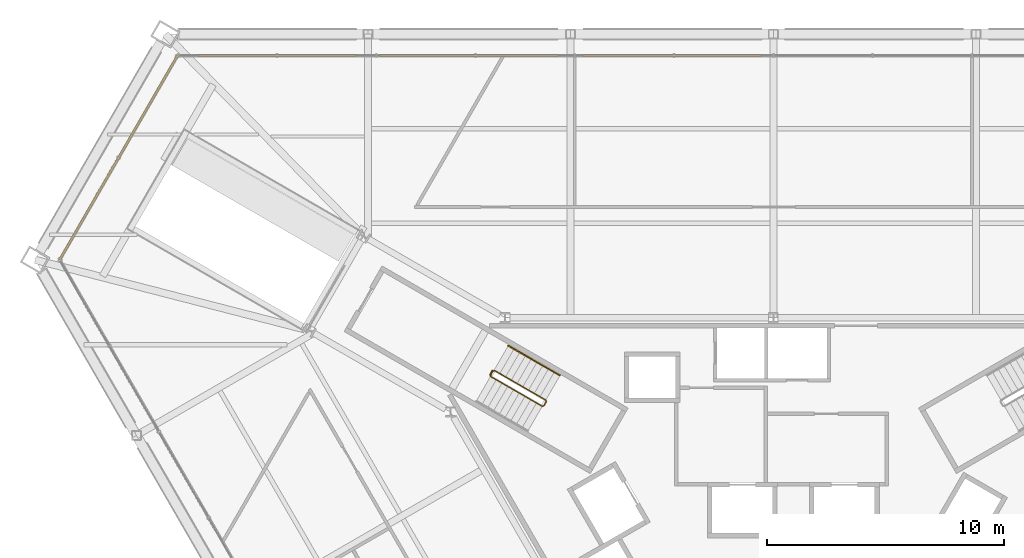
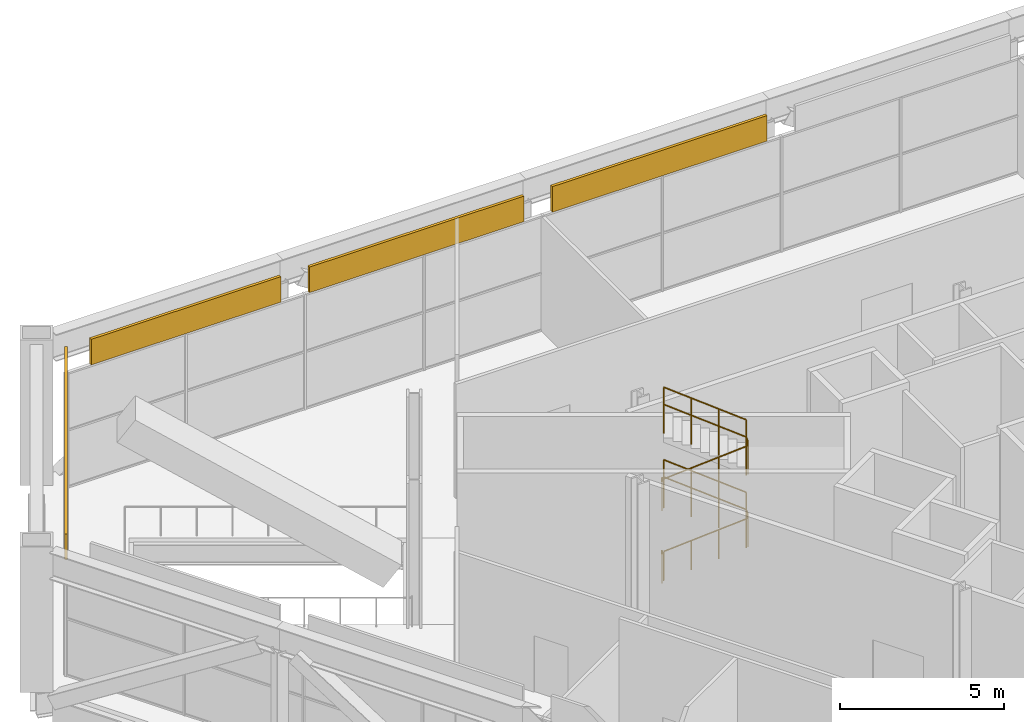
# One storey, part 18 of 20: 4 coverings, 4 railings.
"""IFC4 building model written with IfcOpenShell, lengths in metres."""

from ifc_helpers import new_model, si_unit, direction, frame, origin, origin_2d, place, context, subcontext, project, spatial, rectangle, circle, extrude, material, layer, layer_set, type_object, element, save


model = new_model("IFC4")

# Units and contexts
model_context = context("Model", 3, precision=1e-05, world=origin(), true_north=direction((0.0, 1.0)))
body_context = subcontext(model_context, "Body", "Model", "MODEL_VIEW")
ifc_project = project(units=[si_unit("LENGTHUNIT", "METRE"), si_unit("AREAUNIT", "SQUARE_METRE"), si_unit("VOLUMEUNIT", "CUBIC_METRE"), si_unit("PLANEANGLEUNIT", "RADIAN"), si_unit("MASSUNIT", "GRAM", prefix="KILO")], contexts=[model_context])

# Site, building, storey
site_placement = place(None, origin())
site = spatial("IfcSite", under=ifc_project, at=site_placement, CompositionType="ELEMENT")
building_placement = place(site_placement, origin())
building = spatial("IfcBuilding", under=site, at=building_placement, Name="Verrane Prism Tower", CompositionType="ELEMENT")
storey_placement = place(building_placement, frame((0.0, 0.0, 12.0)))
storey = spatial("IfcBuildingStorey", under=building, at=storey_placement, Name="L01", CompositionType="ELEMENT", Elevation=12.0)

# Coverings
ifc_material_1 = material(Name="Limestone cladding", Category="masonry")
ifc_layer = layer(ifc_material_1, 0.10009765625)
ifc_layer_set = layer_set([ifc_layer], Name="FA-100 stone fascia panel")
covering_type = type_object("IfcCoveringType", Name="FA-100 stone fascia panel", PredefinedType="CLADDING", material=ifc_layer_set)
covering_1_placement = place(storey_placement, frame((-4.280029296875, 20.27001953125, 4.2900390625), z_axis=(0.0, 0.0, 1.0), x_axis=(-1.0, 0.0, 0.0)))
element("IfcCovering", 1, at=covering_1_placement, inside=storey, type_object=covering_type, Name="Stone fascia L01 2.4", PredefinedType="CLADDING", context=body_context, shape_type="SweptSolid", body=[
    extrude(rectangle(XDim=7.56005859375, YDim=0.10009765625, at=origin_2d()), origin(), (0.0, 0.0, 1.0), 0.949951171875),
])
covering_2_placement = place(storey_placement, frame((-12.8349609375, 20.27001953125, 4.2900390625), z_axis=(0.0, 0.0, 1.0), x_axis=(-1.0, 0.0, 0.0)))
element("IfcCovering", 2, at=covering_2_placement, inside=storey, type_object=covering_type, Name="Stone fascia L01 2.5", PredefinedType="CLADDING", context=body_context, shape_type="SweptSolid", body=[
    extrude(rectangle(XDim=7.550048828125, YDim=0.10009765625, at=origin_2d()), origin(), (0.0, 0.0, 1.0), 0.949951171875),
])
covering_3_placement = place(storey_placement, frame((-20.948486328125, 20.27001953125, 4.2900390625), z_axis=(0.0, 0.0, 1.0), x_axis=(-1.0, 0.0, 0.0)))
element("IfcCovering", 3, at=covering_3_placement, inside=storey, type_object=covering_type, Name="Stone fascia L01 2.6", PredefinedType="CLADDING", context=body_context, shape_type="SweptSolid", body=[
    extrude(rectangle(XDim=6.6767578125, YDim=0.10009765625, at=origin_2d()), origin(), (0.0, 0.0, 1.0), 0.949951171875),
])
covering_4_placement = place(storey_placement, frame((-27.63818359375, 15.956787109375, 4.2900390625), z_axis=(0.0, 0.0, 1.0), x_axis=(-0.499999190728, -0.866025871017, 0.0)))
element("IfcCovering", 4, at=covering_4_placement, inside=storey, type_object=covering_type, Name="Stone fascia L01 3.1", PredefinedType="CLADDING", context=body_context, shape_type="SweptSolid", body=[
    extrude(rectangle(XDim=9.960693359375, YDim=0.10009765625, at=origin_2d()), origin(), (0.0, 0.0, 1.0), 0.949951171875),
])

# Railings
ifc_material_2 = material(Name="Steel A36 rail and posts, no infill", Category="steel")
railing_type_1 = type_object("IfcRailingType", Name="Stair guard 1100 steel rail and posts", PredefinedType="GUARDRAIL", material=ifc_material_2)
railing_1_placement = place(storey_placement, frame((-11.939453125, 6.72021484375, 0.135009765625)))
element("IfcRailing", 5, at=railing_1_placement, inside=storey, type_object=railing_type_1, Name="Stair 2 guard", PredefinedType="GUARDRAIL", context=body_context, shape_type="SweptSolid", body=[
    extrude(circle(Radius=0.02392578125, at=origin_2d()), frame((0.0, 0.0, 1.076171875), z_axis=(0.780075155716, -0.450382355817, 0.434325321624), x_axis=(0.500004791531, 0.866022637375, 0.0)), (0.0, 0.0, 1.0), 2.797607421875),
    extrude(circle(Radius=0.02392578125, at=origin_2d()), frame((2.182373046875, -1.260009765625, 2.291015625), z_axis=(0.965715946433, 0.259601060869, 0.0), x_axis=(-0.259601060869, 0.965715946433, 0.0)), (0.0, 0.0, 1.0), 0.070556640625),
    extrude(circle(Radius=0.02392578125, at=origin_2d()), frame((2.25048828125, -1.24169921875, 2.291015625), z_axis=(0.500603037456, 0.865676959893, 0.0), x_axis=(-0.865676959893, 0.500603037456, 0.0)), (0.0, 0.0, 1.0), 0.199951171875),
    extrude(circle(Radius=0.02392578125, at=origin_2d()), frame((2.3505859375, -1.068603515625, 2.291015625), z_axis=(-0.120121682433, 0.448454281082, 0.885697205138), x_axis=(-0.965948051503, -0.258736085224, 0.0)), (0.0, 0.0, 1.0), 0.15234375),
    extrude(circle(Radius=0.02392578125, at=origin_2d()), frame((2.332275390625, -1.000244140625, 2.42626953125), z_axis=(-0.780104720871, 0.450399425485, 0.434254512927), x_axis=(-0.500004791531, -0.866022637375, 0.0)), (0.0, 0.0, 1.0), 2.797607421875),
    extrude(circle(Radius=0.02392578125, at=origin_2d()), frame((0.14990234375, 0.259765625, 3.64111328125), z_axis=(-0.659656118156, -0.751567565678, 0.0), x_axis=(0.751567565678, -0.659656118156, 0.0)), (0.0, 0.0, 1.0), 0.2548828125),
    extrude(circle(Radius=0.02392578125, at=origin_2d()), frame((-0.018310546875, 0.068115234375, 3.64111328125), z_axis=(0.499158860599, 0.866510491504, 0.0), x_axis=(-0.866510491504, 0.499158860599, 0.0)), (0.0, 0.0, 1.0), 0.199951171875),
    extrude(circle(Radius=0.02392578125, at=origin_2d()), frame((0.08154296875, 0.241455078125, 3.64111328125), z_axis=(-0.282737702659, -0.837208347095, 0.468125597516), x_axis=(0.947430582667, -0.3199613899, 0.0)), (0.0, 0.0, 1.0), 0.288330078125),
    extrude(circle(Radius=0.02392578125, at=origin_2d()), frame((0.0, 0.0, 3.77587890625), z_axis=(0.780075155716, -0.450382355817, 0.434325321624), x_axis=(0.500004791531, 0.866022637375, 0.0)), (0.0, 0.0, 1.0), 2.797607421875),
    extrude(circle(Radius=0.02392578125, at=origin_2d()), frame((2.182373046875, -1.260009765625, 4.9912109375), z_axis=(0.965715946433, 0.259601060869, 0.0), x_axis=(-0.259601060869, 0.965715946433, 0.0)), (0.0, 0.0, 1.0), 0.070556640625),
    extrude(circle(Radius=0.02392578125, at=origin_2d()), frame((2.25048828125, -1.24169921875, 4.9912109375), z_axis=(0.500603037456, 0.865676959893, 0.0), x_axis=(-0.865676959893, 0.500603037456, 0.0)), (0.0, 0.0, 1.0), 0.199951171875),
    extrude(circle(Radius=0.02392578125, at=origin_2d()), frame((2.3505859375, -1.068603515625, 4.9912109375), z_axis=(-0.120121682433, 0.448454281082, 0.885697205138), x_axis=(-0.965948051503, -0.258736085224, 0.0)), (0.0, 0.0, 1.0), 0.15234375),
    extrude(circle(Radius=0.02392578125, at=origin_2d()), frame((2.332275390625, -1.000244140625, 5.1259765625), z_axis=(-0.780104720871, 0.450399425485, 0.434254512927), x_axis=(-0.500004791531, -0.866022637375, 0.0)), (0.0, 0.0, 1.0), 2.797607421875),
    extrude(circle(Radius=0.02099609375, at=origin_2d()), origin(), (0.0, 0.0, 1.0), 1.052001953125),
    extrude(circle(Radius=0.02099609375, at=origin_2d()), frame((0.7275390625, -0.419921875, 0.405029296875)), (0.0, 0.0, 1.0), 1.052001953125),
    extrude(circle(Radius=0.02099609375, at=origin_2d()), frame((1.454833984375, -0.840087890625, 0.81005859375)), (0.0, 0.0, 1.0), 1.052001953125),
    extrude(circle(Radius=0.02099609375, at=origin_2d()), frame((2.182373046875, -1.260009765625, 1.215087890625)), (0.0, 0.0, 1.0), 1.052001953125),
    extrude(circle(Radius=0.02099609375, at=origin_2d()), frame((2.25048828125, -1.24169921875, 1.215087890625)), (0.0, 0.0, 1.0), 1.052001953125),
    extrude(circle(Radius=0.02099609375, at=origin_2d()), frame((2.3505859375, -1.068603515625, 1.215087890625)), (0.0, 0.0, 1.0), 1.052001953125),
    extrude(circle(Radius=0.02099609375, at=origin_2d()), frame((2.332275390625, -1.000244140625, 1.35009765625)), (0.0, 0.0, 1.0), 1.052001953125),
    extrude(circle(Radius=0.02099609375, at=origin_2d()), frame((1.604736328125, -0.580322265625, 1.755126953125)), (0.0, 0.0, 1.0), 1.052001953125),
    extrude(circle(Radius=0.02099609375, at=origin_2d()), frame((0.87744140625, -0.16015625, 2.159912109375)), (0.0, 0.0, 1.0), 1.052001953125),
    extrude(circle(Radius=0.02099609375, at=origin_2d()), frame((0.14990234375, 0.259765625, 2.56494140625)), (0.0, 0.0, 1.0), 1.052001953125),
    extrude(circle(Radius=0.02099609375, at=origin_2d()), frame((-0.018310546875, 0.068115234375, 2.56494140625)), (0.0, 0.0, 1.0), 1.052001953125),
    extrude(circle(Radius=0.02099609375, at=origin_2d()), frame((0.08154296875, 0.241455078125, 2.56494140625)), (0.0, 0.0, 1.0), 1.052001953125),
    extrude(circle(Radius=0.02099609375, at=origin_2d()), frame((0.0, 0.0, 2.699951171875)), (0.0, 0.0, 1.0), 1.052001953125),
    extrude(circle(Radius=0.02099609375, at=origin_2d()), frame((0.7275390625, -0.419921875, 3.10498046875)), (0.0, 0.0, 1.0), 1.052001953125),
    extrude(circle(Radius=0.02099609375, at=origin_2d()), frame((1.454833984375, -0.840087890625, 3.510009765625)), (0.0, 0.0, 1.0), 1.052001953125),
    extrude(circle(Radius=0.02099609375, at=origin_2d()), frame((2.182373046875, -1.260009765625, 3.9150390625)), (0.0, 0.0, 1.0), 1.052001953125),
    extrude(circle(Radius=0.02099609375, at=origin_2d()), frame((2.25048828125, -1.24169921875, 3.9150390625)), (0.0, 0.0, 1.0), 1.052001953125),
    extrude(circle(Radius=0.02099609375, at=origin_2d()), frame((2.3505859375, -1.068603515625, 3.9150390625)), (0.0, 0.0, 1.0), 1.052001953125),
    extrude(circle(Radius=0.02099609375, at=origin_2d()), frame((2.332275390625, -1.000244140625, 4.050048828125)), (0.0, 0.0, 1.0), 1.052001953125),
    extrude(circle(Radius=0.02099609375, at=origin_2d()), frame((1.604736328125, -0.580322265625, 4.455078125)), (0.0, 0.0, 1.0), 1.052001953125),
    extrude(circle(Radius=0.02099609375, at=origin_2d()), frame((0.87744140625, -0.16015625, 4.85986328125)), (0.0, 0.0, 1.0), 1.052001953125),
    extrude(circle(Radius=0.02099609375, at=origin_2d()), frame((0.14990234375, 0.259765625, 5.264892578125)), (0.0, 0.0, 1.0), 1.052001953125),
])
railing_2_placement = place(storey_placement, frame((-11.957763671875, 6.788330078125, 0.0)))
element("IfcRailing", 6, at=railing_2_placement, inside=storey, type_object=railing_type_1, Name="Stair 2 guard", PredefinedType="GUARDRAIL", context=body_context, shape_type="SweptSolid", body=[
    extrude(circle(Radius=0.02392578125, at=origin_2d()), frame((0.0, 0.0, 1.076171875), z_axis=(0.499158860599, 0.866510491504, 0.0), x_axis=(-0.866510491504, 0.499158860599, 0.0)), (0.0, 0.0, 1.0), 0.199951171875),
    extrude(circle(Radius=0.02099609375, at=origin_2d()), origin(), (0.0, 0.0, 1.0), 1.052001953125),
    extrude(circle(Radius=0.02099609375, at=origin_2d()), frame((0.099853515625, 0.17333984375, 0.0)), (0.0, 0.0, 1.0), 1.052001953125),
])
ifc_material_3 = material(Name="Steel A36 tube", Category="steel")
railing_type_2 = type_object("IfcRailingType", Name="Stair handrail 900 steel tube", PredefinedType="HANDRAIL", material=ifc_material_3)
for number, where, name in (
    (7, (-9.007080078125, 6.759033203125, 1.485107421875), "Stair 2 handrail"),
    (8, (-9.007080078125, 6.759033203125, 4.18505859375), "Stair 2 handrail"),
):
    element("IfcRailing", number, at=place(storey_placement, frame(where)), inside=storey, type_object=railing_type_2, Name=name, PredefinedType="HANDRAIL", context=body_context, shape_type="SweptSolid", body=[
        extrude(circle(Radius=0.02392578125, at=origin_2d()), frame((0.0, 0.0, 0.8759765625), z_axis=(-0.780104720871, 0.450399425485, 0.434254512927), x_axis=(-0.500004791531, -0.866022637375, 0.0)), (0.0, 0.0, 1.0), 2.797607421875),
        extrude(circle(Radius=0.02099609375, at=origin_2d()), origin(), (0.0, 0.0, 1.0), 0.851806640625),
        extrude(circle(Radius=0.02099609375, at=origin_2d()), frame((-0.7275390625, 0.419921875, 0.405029296875)), (0.0, 0.0, 1.0), 0.851806640625),
        extrude(circle(Radius=0.02099609375, at=origin_2d()), frame((-1.454833984375, 0.840087890625, 0.809814453125)), (0.0, 0.0, 1.0), 0.851806640625),
        extrude(circle(Radius=0.02099609375, at=origin_2d()), frame((-2.182373046875, 1.260009765625, 1.21484375)), (0.0, 0.0, 1.0), 0.851806640625),
    ])

save(model, "model.ifc")
